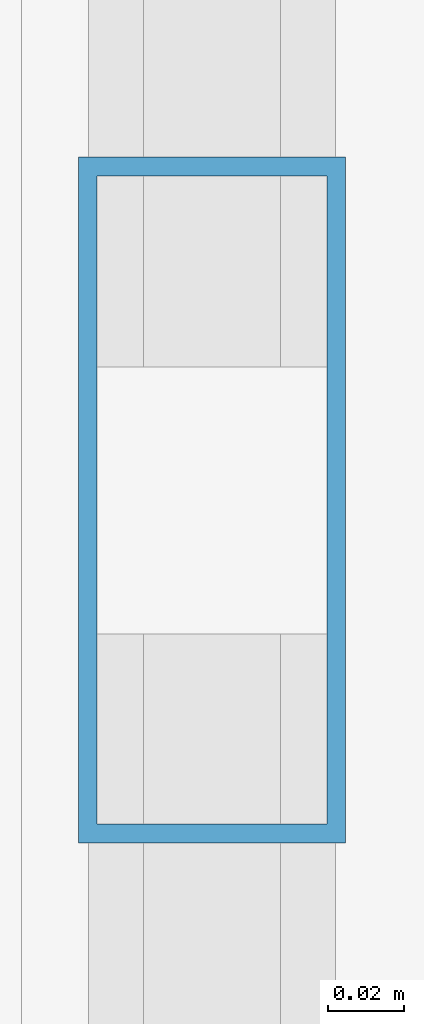
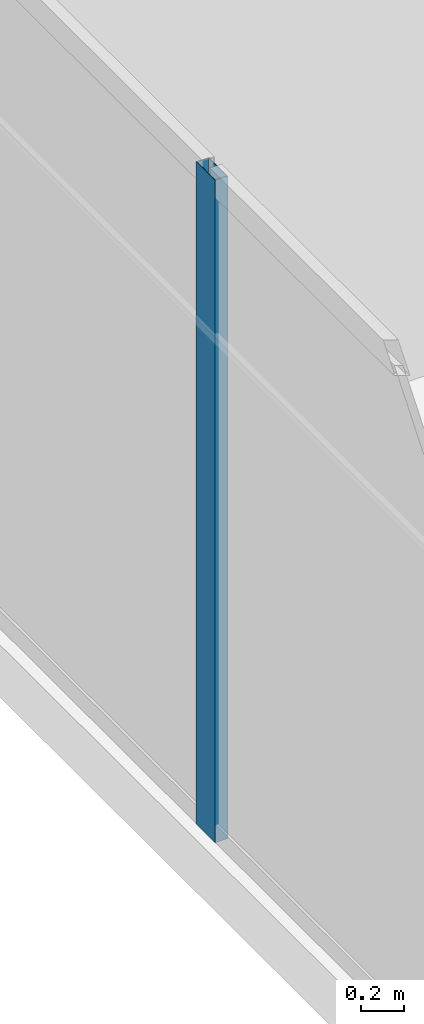
# One storey, part 9 of 35: 1 member, 1 element without a shape of its own.
"""IFC4 building model written with IfcOpenShell, lengths in metres."""

from ifc_helpers import new_model, si_unit, direction, frame, origin, origin_2d, place, context, subcontext, project, spatial, hollow_rectangle, extrude, source, transform, mapped, material, layer, layer_set, material_profile, profile_set, type_object, type_shapes, element, aggregate, save


model = new_model("IFC4")

# Units and contexts
model_context = context("Model", 3, precision=1e-05, world=origin(), true_north=direction((0.0, 1.0)))
body_context = subcontext(model_context, "Body", "Model", "MODEL_VIEW")
ifc_project = project(units=[si_unit("LENGTHUNIT", "METRE"), si_unit("AREAUNIT", "SQUARE_METRE"), si_unit("VOLUMEUNIT", "CUBIC_METRE"), si_unit("PLANEANGLEUNIT", "RADIAN"), si_unit("MASSUNIT", "GRAM", prefix="KILO")], contexts=[model_context])

# Site, building, storey
site_placement = place(None, origin())
site = spatial("IfcSite", under=ifc_project, at=site_placement, CompositionType="ELEMENT")
building_placement = place(site_placement, origin())
building = spatial("IfcBuilding", under=site, at=building_placement, Name="Haelvirn Gate Laboratories", CompositionType="ELEMENT")
storey_placement = place(building_placement, frame((0.0, 0.0, 201.39990234375)))
storey = spatial("IfcBuildingStorey", under=building, at=storey_placement, Name="L48", CompositionType="ELEMENT", Elevation=201.39990234375)

# Curtain wall, member
ifc_material_1 = material(Name="Anodised bronze unitised aluminium & triple low-E glass", Category="aluminium")
ifc_layer = layer(ifc_material_1, 0.176025390625, Name="CW-SYS-4")
ifc_layer_set = layer_set([ifc_layer], Name="Anodised bronze unitised aluminium & triple low-E glass")
curtain_wall_type = type_object("IfcCurtainWallType", Name="CW-SYS-4", PredefinedType="NOTDEFINED", material=ifc_layer_set)
curtain_wall_placement = place(storey_placement, origin())
curtain_wall = element("IfcCurtainWall", 1, at=curtain_wall_placement, inside=storey, type_object=curtain_wall_type, Name="L48 Unitised Curtain Wall CW-L48-P0-E17", PredefinedType="NOTDEFINED")
ifc_material_2 = material(Name="Extruded aluminium 6063-T6 (anodised bronze)", Category="aluminium")
ifc_material_profile = material_profile(ifc_material_2, hollow_rectangle(XDim=0.070068359375, YDim=0.179931640625, WallThickness=0.0048828125, at=origin_2d()), Name="CWM-180x70x5")
ifc_profile_set = profile_set([ifc_material_profile], Name="Extruded aluminium 6063-T6 (anodised bronze)")
member_type = type_object("IfcMemberType", Name="CWM-T180", PredefinedType="MULLION", material=ifc_profile_set)
shared_shape = source(origin(), body_context, "Body", "SweptSolid", [
    extrude(hollow_rectangle(XDim=0.070068359375, YDim=0.179931640625, WallThickness=0.0048828125, at=origin_2d()), origin(), (0.0, 0.0, 1.0), 3.800048828125),
])
type_shapes(member_type, [shared_shape])
member_placement = place(storey_placement, frame((4.10009765625, 24.300048828125, 0.0), z_axis=(0.0, 0.0, 1.0), x_axis=(1.0, 0.0, 0.0)))
member = element("IfcMember", 2, at=member_placement, type_object=member_type, Name="CW4 mullion 2", PredefinedType="MULLION", context=body_context, shape_type="MappedRepresentation", body=[
    mapped(shared_shape, transform((0.0, 0.0, 0.0), scale=1.0)),
])
aggregate(curtain_wall, [member])

save(model, "model.ifc")
